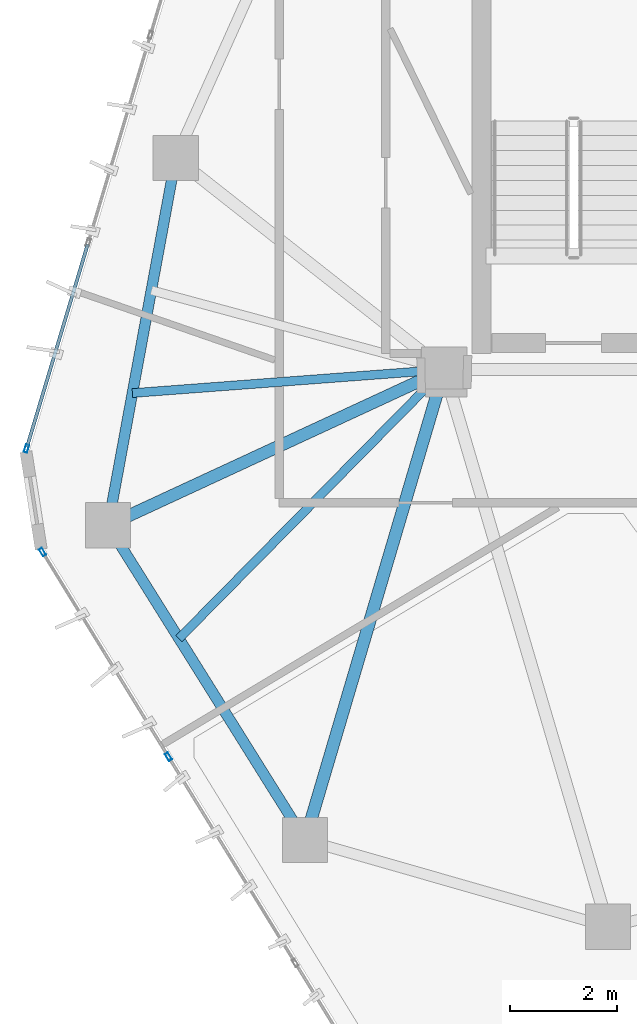
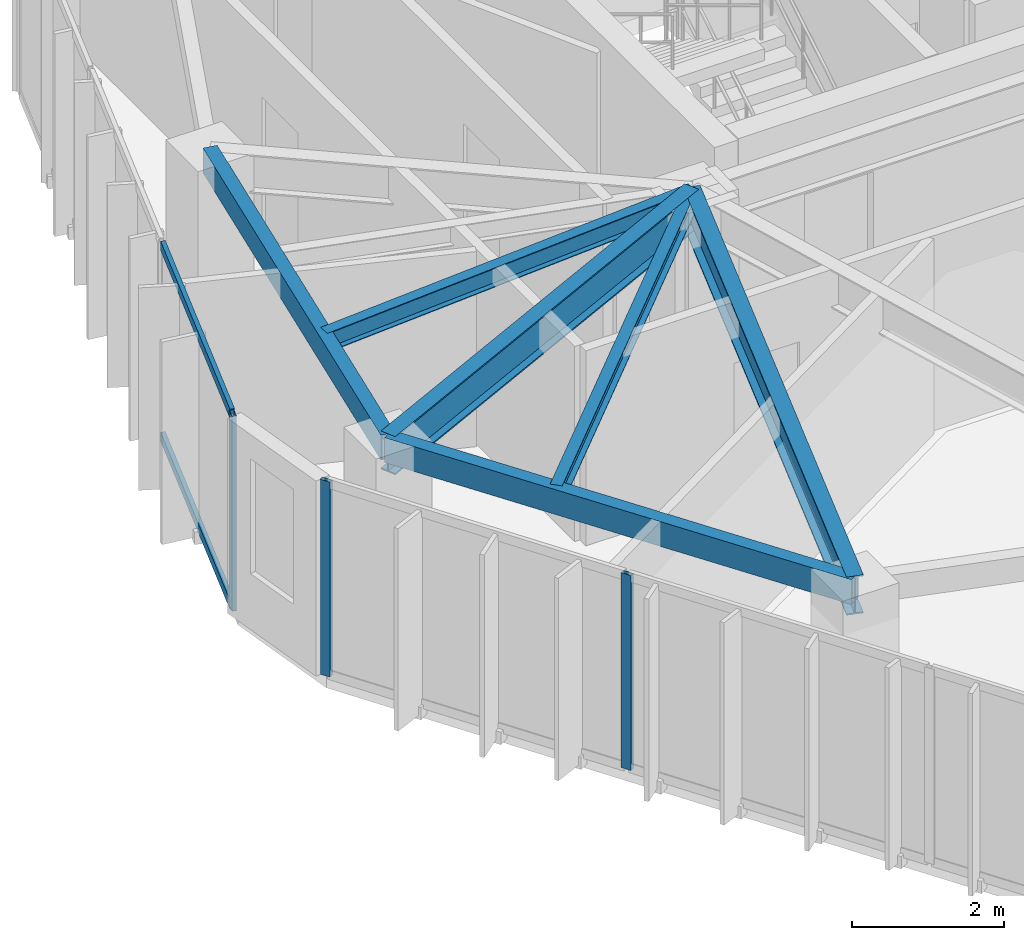
# One storey, part 4 of 20: 6 beams, 5 members, 2 elements without a shape of their own.
"""IFC4 building model written with IfcOpenShell, lengths in metres."""

from ifc_helpers import new_model, si_unit, direction, frame, origin, origin_2d, place, context, subcontext, project, spatial, hollow_rectangle, i_section, extrude, source, transform, mapped, material, layer, layer_set, material_profile, profile_set, type_object, type_shapes, element, aggregate, save


model = new_model("IFC4")

# Units and contexts
model_context = context("Model", 3, precision=1e-05, world=origin(), true_north=direction((0.0, 1.0)))
body_context = subcontext(model_context, "Body", "Model", "MODEL_VIEW")
ifc_project = project(units=[si_unit("LENGTHUNIT", "METRE"), si_unit("AREAUNIT", "SQUARE_METRE"), si_unit("VOLUMEUNIT", "CUBIC_METRE"), si_unit("PLANEANGLEUNIT", "RADIAN"), si_unit("MASSUNIT", "GRAM", prefix="KILO")], contexts=[model_context])

# Site, building, storey
site_placement = place(None, origin())
site = spatial("IfcSite", under=ifc_project, at=site_placement, CompositionType="ELEMENT")
building_placement = place(site_placement, origin())
building = spatial("IfcBuilding", under=site, at=building_placement, Name="Talar Marvaseh", CompositionType="ELEMENT")
storey_placement = place(building_placement, frame((0.0, 0.0, 257.800048828125)))
storey = spatial("IfcBuildingStorey", under=building, at=storey_placement, Name="L68", CompositionType="ELEMENT", Elevation=257.800048828125)

# Beams
ifc_material_1 = material(Name="Steel S355", Category="steel")
ifc_material_profile_1 = material_profile(ifc_material_1, hollow_rectangle(XDim=0.199951171875, YDim=0.39990234375, WallThickness=0.013916015625, at=origin_2d()), Name="RHS400x200x14")
ifc_profile_set_1 = profile_set([ifc_material_profile_1], Name="Steel S355")
beam_type_1 = type_object("IfcBeamType", Name="Zone 3 Perimeter Spandrel Beam RHS400x200x14", PredefinedType="SPANDREL", material=ifc_profile_set_1)
beam_1_placement = place(storey_placement, frame((12.388916015625, 22.576904296875, 2.93994140625), z_axis=(0.18106135948, 0.983471801377, 0.0), x_axis=(-0.983471801377, 0.18106135948, 0.0)))
element("IfcBeam", 1, at=beam_1_placement, inside=storey, type_object=beam_type_1, Name="L68 Zone 3 Perimeter Spandrel Beam RHS400x200x14", PredefinedType="SPANDREL", context=body_context, shape_type="SweptSolid", body=[
    extrude(hollow_rectangle(XDim=0.199951171875, YDim=0.39990234375, WallThickness=0.013916015625, at=origin_2d()), origin(), (0.0, 0.0, 1.0), 7.0087890625),
])
beam_2_placement = place(storey_placement, frame((16.0869140625, 16.66796875, 2.93994140625), z_axis=(-0.530505706813, 0.847681364098, 0.0), x_axis=(-0.847681364098, -0.530505706813, 0.0)))
element("IfcBeam", 2, at=beam_2_placement, inside=storey, type_object=beam_type_1, Name="L68 Zone 3 Perimeter Spandrel Beam RHS400x200x14", PredefinedType="SPANDREL", context=body_context, shape_type="SweptSolid", body=[
    extrude(hollow_rectangle(XDim=0.199951171875, YDim=0.39990234375, WallThickness=0.013916015625, at=origin_2d()), origin(), (0.0, 0.0, 1.0), 6.970703125),
])
ifc_material_profile_2 = material_profile(ifc_material_1, i_section(OverallWidth=0.166015625, OverallDepth=0.31298828125, WebThickness=0.006591796875, FlangeThickness=0.01123046875, at=origin_2d()), Name="W310x45")
ifc_profile_set_2 = profile_set([ifc_material_profile_2], Name="Steel S355")
beam_type_2 = type_object("IfcBeamType", Name="Zone 3 Secondary Floor Joist W310x45", PredefinedType="JOIST", material=ifc_profile_set_2)
beam_3_placement = place(storey_placement, frame((12.845703125, 25.05859375, 2.9833984375), z_axis=(0.997169535009, 0.075185892627, 0.0), x_axis=(-0.075185892627, 0.997169535009, 0.0)))
element("IfcBeam", 3, at=beam_3_placement, inside=storey, type_object=beam_type_2, Name="L68 Zone 3 Secondary Floor Joist W310x45", PredefinedType="JOIST", context=body_context, shape_type="SweptSolid", body=[
    extrude(i_section(OverallWidth=0.166015625, OverallDepth=0.31298828125, WebThickness=0.006591796875, FlangeThickness=0.01123046875, at=origin_2d()), origin(), (0.0, 0.0, 1.0), 5.870849609375),
])
beam_4_placement = place(storey_placement, frame((13.72021484375, 20.44970703125, 2.9833984375), z_axis=(0.702115238584, 0.712063334085, 0.0), x_axis=(-0.712063334085, 0.702115238584, 0.0)))
element("IfcBeam", 4, at=beam_4_placement, inside=storey, type_object=beam_type_2, Name="L68 Zone 3 Secondary Floor Joist W310x45", PredefinedType="JOIST", context=body_context, shape_type="SweptSolid", body=[
    extrude(i_section(OverallWidth=0.166015625, OverallDepth=0.31298828125, WebThickness=0.006591796875, FlangeThickness=0.01123046875, at=origin_2d()), origin(), (0.0, 0.0, 1.0), 7.092529296875),
])
ifc_material_profile_3 = material_profile(ifc_material_1, i_section(OverallWidth=0.22998046875, OverallDepth=0.616943359375, WebThickness=0.01318359375, FlangeThickness=0.022216796875, at=origin_2d()), Name="W610x140")
ifc_profile_set_3 = profile_set([ifc_material_profile_3], Name="Steel S355")
beam_type_3 = type_object("IfcBeamType", Name="Zone 4 Radial Floor Girder W610x140", PredefinedType="BEAM", material=ifc_profile_set_3)
beam_5_placement = place(storey_placement, frame((12.388916015625, 22.576904296875, 2.83154296875), z_axis=(0.907394527995, 0.420279871709, 0.0), x_axis=(-0.420279871709, 0.907394527995, 0.0)))
element("IfcBeam", 5, at=beam_5_placement, inside=storey, type_object=beam_type_3, Name="L68 Zone 4 Radial Floor Girder W610x140", PredefinedType="BEAM", context=body_context, shape_type="SweptSolid", body=[
    extrude(i_section(OverallWidth=0.22998046875, OverallDepth=0.616943359375, WebThickness=0.01318359375, FlangeThickness=0.022216796875, at=origin_2d()), origin(), (0.0, 0.0, 1.0), 6.955078125),
])
beam_6_placement = place(storey_placement, frame((16.0869140625, 16.66796875, 2.83154296875), z_axis=(0.283702937759, 0.958912218666, 0.0), x_axis=(-0.958912218666, 0.283702937759, 0.0)))
element("IfcBeam", 6, at=beam_6_placement, inside=storey, type_object=beam_type_3, Name="L68 Zone 4 Radial Floor Girder W610x140", PredefinedType="BEAM", context=body_context, shape_type="SweptSolid", body=[
    extrude(i_section(OverallWidth=0.22998046875, OverallDepth=0.616943359375, WebThickness=0.01318359375, FlangeThickness=0.022216796875, at=origin_2d()), origin(), (0.0, 0.0, 1.0), 9.21044921875),
])

# Curtain wall, members
ifc_material_2 = material(Name="Architectural Aluminium", Category="aluminium")
ifc_layer = layer(ifc_material_2, 0.179931640625)
ifc_layer_set = layer_set([ifc_layer], Name="Architectural Aluminium")
curtain_wall_type = type_object("IfcCurtainWallType", Name="Unitised High-Wind Sky Curtain Wall Z4", PredefinedType="NOTDEFINED", material=ifc_layer_set)
curtain_wall_1_placement = place(storey_placement, origin())
curtain_wall_1 = element("IfcCurtainWall", 7, at=curtain_wall_1_placement, inside=storey, type_object=curtain_wall_type, Name="L68 Unitised High-Wind Sky Curtain Wall Z4", PredefinedType="NOTDEFINED")
ifc_material_profile_4 = material_profile(ifc_material_2, hollow_rectangle(XDim=0.06494140625, YDim=0.14990234375, WallThickness=0.00390625, at=origin_2d()), Name="RHS150x65x4")
ifc_profile_set_4 = profile_set([ifc_material_profile_4], Name="Architectural Aluminium")
member_type_1 = type_object("IfcMemberType", Name="Unitised Curtain Wall Slim Mullion RHS150x65x4", PredefinedType="MULLION", material=ifc_profile_set_4)
shared_shape_1 = source(origin(), body_context, "Body", "SweptSolid", [
    extrude(hollow_rectangle(XDim=0.06494140625, YDim=0.14990234375, WallThickness=0.00390625, at=origin_2d()), origin(), (0.0, 0.0, 1.0), 3.139892578125),
])
type_shapes(member_type_1, [shared_shape_1])
member_1_placement = place(storey_placement, frame((13.522705078125, 18.2314453125, 0.0), z_axis=(0.0, 0.0, 1.0), x_axis=(-0.851762049618, -0.523928822294, 0.0)))
member_1 = element("IfcMember", 8, at=member_1_placement, type_object=member_type_1, Name="CW-Z4 mullion 3", PredefinedType="MULLION", context=body_context, shape_type="MappedRepresentation", body=[
    mapped(shared_shape_1, transform((0.0, 0.0, 0.0), x_axis=(1.0, 0.0, 0.0), y_axis=(0.0, 1.0, 0.0), z_axis=(0.0, 0.0, 1.0), scale=1.0)),
])
member_2_placement = place(storey_placement, frame((11.158447265625, 22.074951171875, 0.0), z_axis=(0.0, 0.0, 1.0), x_axis=(-0.851762049618, -0.523928822294, 0.0)))
member_2 = element("IfcMember", 9, at=member_2_placement, type_object=member_type_1, Name="CW-Z4 mullion 4", PredefinedType="MULLION", context=body_context, shape_type="MappedRepresentation", body=[
    mapped(shared_shape_1, transform((0.0, 0.0, 0.0), x_axis=(1.0, 0.0, 0.0), y_axis=(0.0, 1.0, 0.0), z_axis=(0.0, 0.0, 1.0), scale=1.0)),
])
aggregate(curtain_wall_1, [member_1, member_2])

curtain_wall_2_placement = place(storey_placement, origin())
curtain_wall_2 = element("IfcCurtainWall", 10, at=curtain_wall_2_placement, inside=storey, type_object=curtain_wall_type, Name="L68 Unitised High-Wind Sky Curtain Wall Z4", PredefinedType="NOTDEFINED")
member_3_placement = place(storey_placement, frame((10.85791015625, 24.0166015625, 0.0), z_axis=(0.0, 0.0, 1.0), x_axis=(-0.957911702193, 0.287063008418, 0.0)))
member_3 = element("IfcMember", 11, at=member_3_placement, type_object=member_type_1, Name="CW-Z4 mullion 1", PredefinedType="MULLION", context=body_context, shape_type="MappedRepresentation", body=[
    mapped(shared_shape_1, transform((0.0, 0.0, 0.0), x_axis=(1.0, 0.0, 0.0), y_axis=(0.0, 1.0, 0.0), z_axis=(0.0, 0.0, 1.0), scale=1.0)),
])
ifc_material_profile_5 = material_profile(ifc_material_2, hollow_rectangle(XDim=0.06494140625, YDim=0.14990234375, WallThickness=0.00390625, at=origin_2d()), Name="RHS150x65x4")
ifc_profile_set_5 = profile_set([ifc_material_profile_5], Name="Architectural Aluminium")
member_type_2 = type_object("IfcMemberType", Name="Unitised Curtain Wall Slim Transom RHS150x65x4", PredefinedType="USERDEFINED", material=ifc_profile_set_5)
shared_shape_2 = source(origin(), body_context, "Body", "SweptSolid", [
    extrude(hollow_rectangle(XDim=0.06494140625, YDim=0.14990234375, WallThickness=0.00390625, at=origin_2d()), origin(), (0.0, 0.0, 1.0), 3.97119140625),
])
type_shapes(member_type_2, [shared_shape_2])
member_4_placement = place(storey_placement, frame((10.8671875, 24.047607421875, 0.032470703125), z_axis=(0.2870320293, 0.957920985341, 0.0), x_axis=(-0.957920985341, 0.2870320293, 0.0)))
member_4 = element("IfcMember", 12, at=member_4_placement, type_object=member_type_2, Name="CW-Z4 transom 1.1", ObjectType="TRANSOM", PredefinedType="USERDEFINED", context=body_context, shape_type="MappedRepresentation", body=[
    mapped(shared_shape_2, transform((0.0, 0.0, 0.0), x_axis=(1.0, 0.0, 0.0), y_axis=(0.0, 1.0, 0.0), z_axis=(0.0, 0.0, 1.0), scale=1.0)),
])
member_5_placement = place(storey_placement, frame((10.8671875, 24.047607421875, 3.107421875), z_axis=(0.2870320293, 0.957920985341, 0.0), x_axis=(-0.957920985341, 0.2870320293, 0.0)))
member_5 = element("IfcMember", 13, at=member_5_placement, type_object=member_type_2, Name="CW-Z4 transom 1.2", ObjectType="TRANSOM", PredefinedType="USERDEFINED", context=body_context, shape_type="MappedRepresentation", body=[
    mapped(shared_shape_2, transform((0.0, 0.0, 0.0), x_axis=(1.0, 0.0, 0.0), y_axis=(0.0, 1.0, 0.0), z_axis=(0.0, 0.0, 1.0), scale=1.0)),
])
aggregate(curtain_wall_2, [member_3, member_4, member_5])

save(model, "model.ifc")
